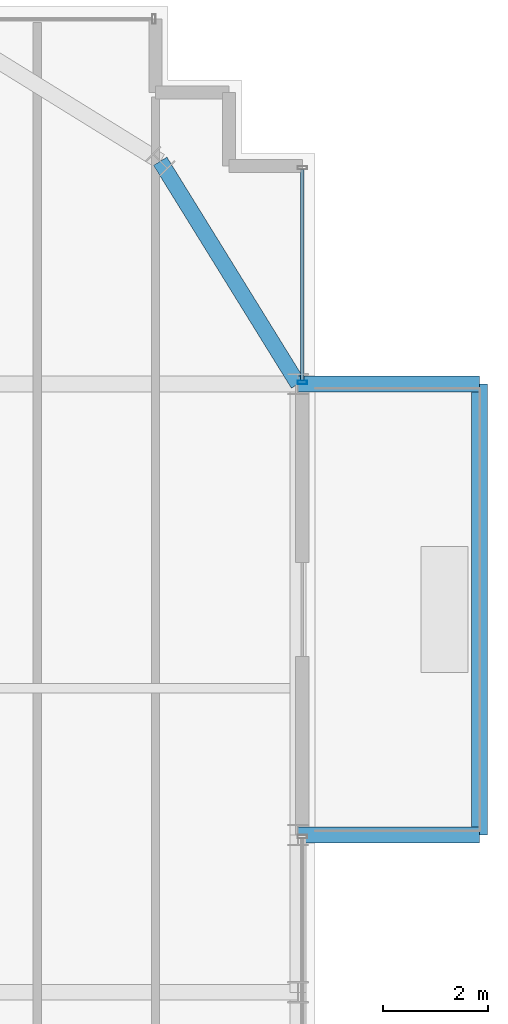
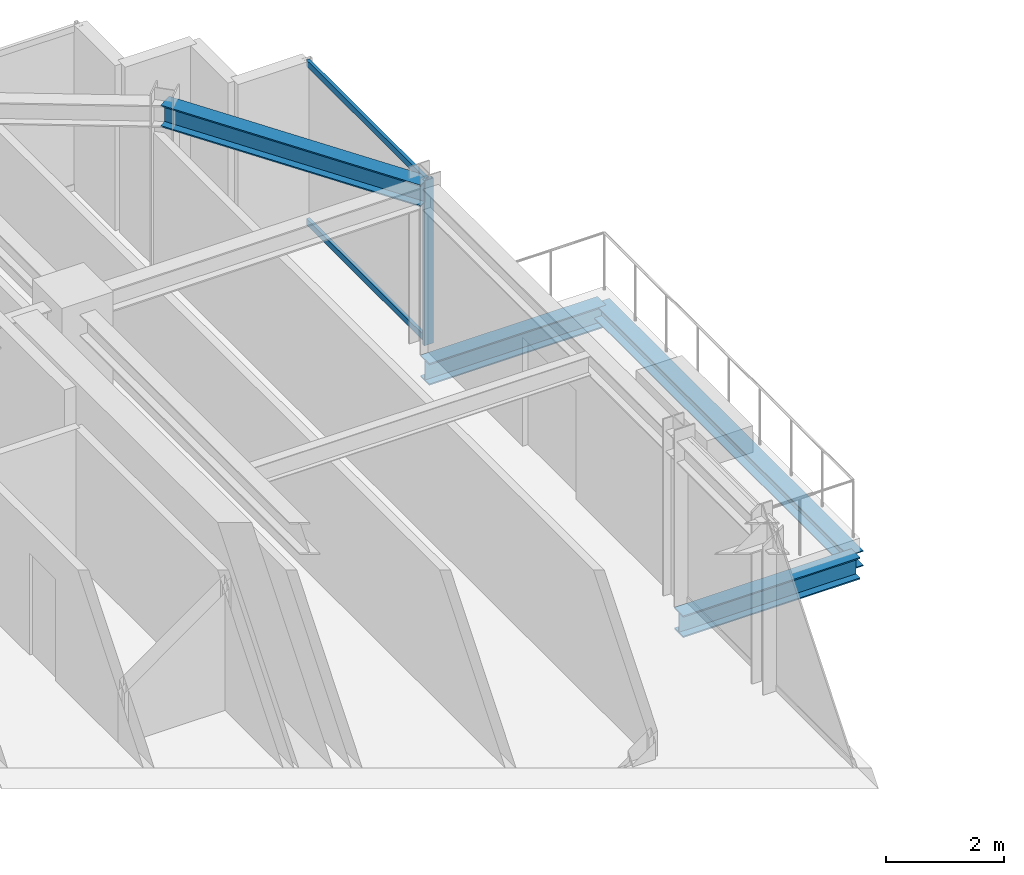
# One storey, part 26 of 36: 4 beams, 3 members, 1 element without a shape of its own.
"""IFC4 building model written with IfcOpenShell, lengths in metres."""

import ifcopenshell
import ifcopenshell.guid

model = None  # the IFC model being written
_history = None  # IfcOwnerHistory: only IFC2X3 demands one
_inside = {}  # id of a spatial element -> (the spatial element, [elements in it])
_under = {}  # id of a project, library or spatial element -> (it, [spatial elements below it])
_declared = {}  # id of a project -> (the project, [libraries it declares])
_typed = {}  # id of a type object -> (the type object, [elements of that type])
_made_of = {}  # id of a material, layer set ... -> (it, [elements and type objects made of it])


def new_model(schema):
    """Start an empty IFC model of exactly this schema.

    Asked for "IFC4X3", IfcOpenShell would pick the latest addendum, in which some entities
    have other attributes; the version numbers below select the first issue.
    IFC2X3 requires an IfcOwnerHistory on every rooted entity: one is made here for all.
    """
    global model, _history
    if schema == "IFC4X3":
        model = ifcopenshell.file(schema_version=(4, 3, 0, 0))
    else:
        model = ifcopenshell.file(schema=schema)
    _inside.clear()
    _under.clear()
    _declared.clear()
    _typed.clear()
    _made_of.clear()
    _history = None
    if model.schema == "IFC2X3":
        org = make("IfcOrganization", Name="unknown")
        user = make(
            "IfcPersonAndOrganization",
            ThePerson=make("IfcPerson", FamilyName="unknown"),
            TheOrganization=org,
        )
        app = make(
            "IfcApplication",
            ApplicationDeveloper=org,
            Version="unknown",
            ApplicationFullName="unknown",
            ApplicationIdentifier="unknown",
        )
        _history = make(
            "IfcOwnerHistory",
            OwningUser=user,
            OwningApplication=app,
            ChangeAction="ADDED",
            CreationDate=0,
        )
    return model


def make(cls, **values):
    """One entity of the class cls with the attributes given. An attribute that is None is left unset."""
    return model.create_entity(
        cls, **{name: value for name, value in values.items() if value is not None}
    )


def rooted(cls, **values):
    """An entity with a GlobalId (a new one), such as an element, a storey or a relation."""
    return make(cls, GlobalId=ifcopenshell.guid.new(), OwnerHistory=_history, **values)


def si_unit(unit_type, name, prefix=None):
    """IfcSIUnit, for example si_unit("LENGTHUNIT", "METRE", prefix="MILLI")."""
    return make("IfcSIUnit", UnitType=unit_type, Prefix=prefix, Name=name)


def assignment(units):
    """IfcUnitAssignment: the units of a project."""
    return None if units is None else make("IfcUnitAssignment", Units=units)


def point(xyz):
    """IfcCartesianPoint."""
    return None if xyz is None else make("IfcCartesianPoint", Coordinates=xyz)


def direction(xyz):
    """IfcDirection."""
    return None if xyz is None else make("IfcDirection", DirectionRatios=xyz)


def frame(location, z_axis=None, x_axis=None):
    """IfcAxis2Placement3D, a coordinate frame: its origin and axes. An axis left out is left unset."""
    return make(
        "IfcAxis2Placement3D",
        Location=point(location),
        Axis=direction(z_axis),
        RefDirection=direction(x_axis),
    )


def frame_2d(location, x_axis=None):
    """IfcAxis2Placement2D, a coordinate frame in the plane: its origin and x axis."""
    return make(
        "IfcAxis2Placement2D", Location=point(location), RefDirection=direction(x_axis)
    )


def origin():
    """The frame at (0, 0, 0) with its axes left unset."""
    return frame((0.0, 0.0, 0.0))


def origin_2d():
    """The frame at (0, 0) in the plane with its x axis left unset."""
    return frame_2d((0.0, 0.0))


def place(relative_to, where):
    """IfcLocalPlacement: puts the frame where relative to a parent placement (None: the world)."""
    return make(
        "IfcLocalPlacement", PlacementRelTo=relative_to, RelativePlacement=where
    )


def context(
    kind, dimensions, precision=None, world=None, true_north=None, identifier=None
):
    """IfcGeometricRepresentationContext, for example the 3D "Model" context."""
    return make(
        "IfcGeometricRepresentationContext",
        ContextIdentifier=identifier,
        ContextType=kind,
        CoordinateSpaceDimension=dimensions,
        Precision=precision,
        WorldCoordinateSystem=world,
        TrueNorth=true_north,
    )


def subcontext(parent, identifier, kind, view, scale=None):
    """IfcGeometricRepresentationSubContext, for example "Body" below "Model"."""
    return make(
        "IfcGeometricRepresentationSubContext",
        ContextIdentifier=identifier,
        ContextType=kind,
        ParentContext=parent,
        TargetScale=scale,
        TargetView=view,
    )


def project(units=None, contexts=None):
    """IfcProject with its units and contexts."""
    return rooted(
        "IfcProject",
        Name="project",
        RepresentationContexts=contexts,
        UnitsInContext=assignment(units),
    )


def spatial(cls, under=None, at=None, **own):
    """A site, building, storey or space (cls), placed at a placement, below another one or the project."""
    s = rooted(cls, ObjectPlacement=at, **own)
    if under is not None:
        _under.setdefault(under.id(), (under, []))[1].append(s)
    return s


def profile(cls, at=None, kind="AREA", **sizes):
    """A parametric profile (cls). Its sizes go by their IFC names, for example OverallWidth=200.0."""
    return make(cls, ProfileType=kind, Position=at, **sizes)


def hollow_rectangle(**sizes):
    """IfcRectangleHollowProfileDef."""
    return profile("IfcRectangleHollowProfileDef", **sizes)


def i_section(**sizes):
    """IfcIShapeProfileDef."""
    return profile("IfcIShapeProfileDef", **sizes)


def extrude(swept, where, along, depth):
    """IfcExtrudedAreaSolid: the profile swept, set in the frame where, extruded along a direction by depth."""
    return make(
        "IfcExtrudedAreaSolid",
        SweptArea=swept,
        Position=where,
        ExtrudedDirection=direction(along),
        Depth=depth,
    )


def shape(context_of_items, identifier, shape_type, items):
    """IfcShapeRepresentation: the items that make up one representation, for example the "Body"."""
    return make(
        "IfcShapeRepresentation",
        ContextOfItems=context_of_items,
        RepresentationIdentifier=identifier,
        RepresentationType=shape_type,
        Items=items,
    )


def source(mapping_origin, context_of_items, identifier, shape_type, items):
    """IfcRepresentationMap: a shape defined once, which mapped items show again and again."""
    return make(
        "IfcRepresentationMap",
        MappingOrigin=mapping_origin,
        MappedRepresentation=shape(context_of_items, identifier, shape_type, items),
    )


def transform(
    local_origin,
    x_axis=None,
    y_axis=None,
    z_axis=None,
    scale=None,
    scale2=None,
    scale3=None,
    uniform=True,
):
    """IfcCartesianTransformationOperator3D, or its non-uniform kind. x_axis, y_axis, z_axis: its Axis1, 2, 3."""
    if uniform:
        return make(
            "IfcCartesianTransformationOperator3D",
            Axis1=direction(x_axis),
            Axis2=direction(y_axis),
            LocalOrigin=point(local_origin),
            Scale=scale,
            Axis3=direction(z_axis),
        )
    return make(
        "IfcCartesianTransformationOperator3DnonUniform",
        Axis1=direction(x_axis),
        Axis2=direction(y_axis),
        LocalOrigin=point(local_origin),
        Scale=scale,
        Axis3=direction(z_axis),
        Scale2=scale2,
        Scale3=scale3,
    )


def mapped(mapping_source, mapping_target):
    """IfcMappedItem: shows the shape of a source again, moved by a transform."""
    return make(
        "IfcMappedItem", MappingSource=mapping_source, MappingTarget=mapping_target
    )


def material(Name=None, Category=None):
    """IfcMaterial."""
    return make("IfcMaterial", Name=Name, Category=Category)


def material_profile(
    of_material, cross_section, Name=None, Category=None, Priority=None
):
    """IfcMaterialProfile: a cross section and its material."""
    return make(
        "IfcMaterialProfile",
        Name=Name,
        Material=of_material,
        Profile=cross_section,
        Priority=Priority,
        Category=Category,
    )


def profile_set(profiles, Name=None, composite=None):
    """IfcMaterialProfileSet."""
    return make(
        "IfcMaterialProfileSet",
        Name=Name,
        MaterialProfiles=profiles,
        CompositeProfile=composite,
    )


def made_of(thing, what):
    """Note that an element or type object is made of a material, layer set ...; save() writes the relation."""
    if what is not None:
        _made_of.setdefault(what.id(), (what, []))[1].append(thing)
    return thing


def type_object(cls, material=None, **own):
    """A type object (cls), such as IfcWallType, which elements share."""
    return made_of(rooted(cls, **own), material)


def element(
    cls,
    number,
    at=None,
    inside=None,
    cuts=None,
    type_object=None,
    material=None,
    context=None,
    identifier="Body",
    shape_type=None,
    held_by="IfcProductDefinitionShape",
    body=None,
    shapes=None,
    **own,
):
    """One element of the class cls, such as IfcWall. Its Tag is "e" and its number.

    at: its placement. inside: the storey or other place that contains it. cuts: it is an
    opening in that element (IfcRelVoidsElement). A single representation is given by context,
    identifier, shape_type and body (its items); several are given by shapes. held_by: the class
    of the entity that holds the representations. save() writes the other relations.
    """
    e = rooted(cls, Tag="e%d" % number, ObjectPlacement=at, **own)
    if body is not None:
        shapes = [shape(context, identifier, shape_type, body)]
    if shapes is not None:
        e.Representation = make(held_by, Representations=shapes)
    if inside is not None:
        _inside.setdefault(inside.id(), (inside, []))[1].append(e)
    if cuts is not None:
        rooted(
            "IfcRelVoidsElement", RelatingBuildingElement=cuts, RelatedOpeningElement=e
        )
    if type_object is not None:
        _typed.setdefault(type_object.id(), (type_object, []))[1].append(e)
    return made_of(e, material)


def aggregate(whole, parts):
    """IfcRelAggregates: a whole, such as a stair, and the parts it consists of."""
    return rooted("IfcRelAggregates", RelatingObject=whole, RelatedObjects=parts)


def save(model, path):
    """Write the relations noted so far, then the file.

    IfcRelAggregates (storeys below a building ...), IfcRelContainedInSpatialStructure (elements
    in a storey), IfcRelDefinesByType, IfcRelAssociatesMaterial and IfcRelDeclares: one each for
    every whole, place, type object, material and project.
    """
    for whole, parts in _under.values():
        aggregate(whole, parts)
    for where, things in _inside.values():
        rooted(
            "IfcRelContainedInSpatialStructure",
            RelatedElements=things,
            RelatingStructure=where,
        )
    for kind, things in _typed.values():
        rooted("IfcRelDefinesByType", RelatedObjects=things, RelatingType=kind)
    for what, things in _made_of.values():
        rooted("IfcRelAssociatesMaterial", RelatedObjects=things, RelatingMaterial=what)
    for by, libraries in _declared.values():
        rooted("IfcRelDeclares", RelatingContext=by, RelatedDefinitions=libraries)
    model.write(path)


model = new_model("IFC4")

# Units and contexts
model_context = context("Model", 3, precision=1e-05, world=origin(), true_north=direction((0.0, 1.0)))
body_context = subcontext(model_context, "Body", "Model", "MODEL_VIEW")
ifc_project = project(units=[si_unit("LENGTHUNIT", "METRE"), si_unit("AREAUNIT", "SQUARE_METRE"), si_unit("VOLUMEUNIT", "CUBIC_METRE"), si_unit("PLANEANGLEUNIT", "RADIAN"), si_unit("MASSUNIT", "GRAM", prefix="KILO")], contexts=[model_context])

# Site, building, storey
site_placement = place(None, origin())
site = spatial("IfcSite", under=ifc_project, at=site_placement, CompositionType="ELEMENT")
building_placement = place(site_placement, origin())
building = spatial("IfcBuilding", under=site, at=building_placement, Name="Nahalor Promenade Grand Hotel", CompositionType="ELEMENT")
storey_placement = place(building_placement, frame((0.0, 0.0, 223.39990234375)))
storey = spatial("IfcBuildingStorey", under=building, at=storey_placement, Name="L57", CompositionType="ELEMENT", Elevation=223.39990234375)

# Beams
ifc_material_1 = material(Name="Steel S355JR", Category="steel")
ifc_material_profile_1 = material_profile(ifc_material_1, i_section(OverallWidth=0.3, OverallDepth=0.32, WebThickness=0.0115, FlangeThickness=0.0205, at=origin_2d()), Name="HEB 320")
ifc_profile_set_1 = profile_set([ifc_material_profile_1], Name="Steel S355JR")
beam_type_1 = type_object("IfcBeamType", Name="Beam-BalcEdge-HEB320", PredefinedType="SPANDREL", material=ifc_profile_set_1)
shared_shape_1 = source(origin(), body_context, "Body", "SweptSolid", [
    extrude(i_section(OverallWidth=0.3, OverallDepth=0.32, WebThickness=0.0115, FlangeThickness=0.0205, at=origin_2d()), origin(), (0.0, 0.0, 1.0), 8.60009765625),
])
beam_1_placement = place(storey_placement, frame((27.340087890625, 8.39990234375, -0.43994140625), z_axis=(0.0, 1.0, 0.0), x_axis=(-1.0, 0.0, 0.0)))
element("IfcBeam", 1, at=beam_1_placement, inside=storey, type_object=beam_type_1, Name="BM-L57-BC-02-F", PredefinedType="SPANDREL", context=body_context, shape_type="MappedRepresentation", body=[
    mapped(shared_shape_1, transform((0.0, 0.0, 0.0), scale=1.0)),
])
ifc_material_profile_2 = material_profile(ifc_material_1, i_section(OverallWidth=0.3, OverallDepth=0.45, WebThickness=0.014, FlangeThickness=0.026, at=origin_2d()), Name="HEB 450")
ifc_profile_set_2 = profile_set([ifc_material_profile_2], Name="Steel S355JR")
beam_type_2 = type_object("IfcBeamType", Name="Beam-Outrigger-HEB450", PredefinedType="BEAM", material=ifc_profile_set_2)
shared_shape_2 = source(origin(), body_context, "Body", "SweptSolid", [
    extrude(i_section(OverallWidth=0.3, OverallDepth=0.45, WebThickness=0.014, FlangeThickness=0.026, at=origin_2d()), origin(), (0.0, 0.0, 1.0), 3.460205078125),
])
for number, where, z_axis, x_axis, name in (
    (2, (23.8798828125, 8.39990234375, -0.5048828125), (1.0, 0.0, 0.0), (0.0, 1.0, 0.0), "BM-L57-BC-02-1"),
    (3, (23.8798828125, 17.0, -0.5048828125), (1.0, 0.0, 0.0), (0.0, 1.0, 0.0), "BM-L57-BC-02-2"),
):
    element("IfcBeam", number, at=place(storey_placement, frame(where, z_axis=z_axis, x_axis=x_axis)), inside=storey, type_object=beam_type_2, Name=name, PredefinedType="BEAM", context=body_context, shape_type="MappedRepresentation", body=[
        mapped(shared_shape_2, transform((0.0, 0.0, 0.0), scale=1.0)),
    ])
ifc_material_profile_3 = material_profile(ifc_material_1, i_section(OverallWidth=0.3, OverallDepth=0.45, WebThickness=0.014, FlangeThickness=0.026, at=origin_2d()), Name="HEB 450")
ifc_profile_set_3 = profile_set([ifc_material_profile_3], Name="Steel S355JR")
beam_type_3 = type_object("IfcBeamType", Name="Beam-Spandrel-HEB450", PredefinedType="SPANDREL", material=ifc_profile_set_3)
shared_shape_3 = source(origin(), body_context, "Body", "SweptSolid", [
    extrude(i_section(OverallWidth=0.3, OverallDepth=0.45, WebThickness=0.014, FlangeThickness=0.026, at=origin_2d()), origin(), (0.0, 0.0, 1.0), 4.997802734375),
])
beam_2_placement = place(storey_placement, frame((21.25, 21.25, 3.18505859375), z_axis=(0.526199891161, -0.850360908404, 0.0), x_axis=(0.850360908404, 0.526199891161, 0.0)))
element("IfcBeam", 4, at=beam_2_placement, inside=storey, type_object=beam_type_3, Name="BM-L57-SPC-NE-2", PredefinedType="SPANDREL", context=body_context, shape_type="MappedRepresentation", body=[
    mapped(shared_shape_3, transform((0.0, 0.0, 0.0), scale=1.0)),
])

# Curtain wall, members
ifc_material_2 = material(Name="Anodised Bronze Aluminium EN AW-6063 T6", Category="aluminium")
curtain_wall_type = type_object("IfcCurtainWallType", Name="CW2 Typical Hotel Flush Bronze Unitised Curtain Wall", PredefinedType="USERDEFINED", material=ifc_material_2)
curtain_wall_placement = place(storey_placement, origin())
curtain_wall = element("IfcCurtainWall", 5, at=curtain_wall_placement, inside=storey, type_object=curtain_wall_type, Name="L57 Curtain Wall CW-L57-E-3", ObjectType="UNITISED_CURTAIN_WALL", PredefinedType="USERDEFINED")
ifc_material_profile_4 = material_profile(ifc_material_2, hollow_rectangle(XDim=0.065, YDim=0.18, WallThickness=0.004, at=origin_2d()), Name="CWM 65x180x4")
ifc_profile_set_4 = profile_set([ifc_material_profile_4], Name="Anodised Bronze Aluminium EN AW-6063 T6")
member_type_1 = type_object("IfcMemberType", Name="CWM2 Typical Bronze Mullion 65x180", PredefinedType="MULLION", material=ifc_profile_set_4)
shared_shape_4 = source(origin(), body_context, "Body", "SweptSolid", [
    extrude(hollow_rectangle(XDim=0.065, YDim=0.18, WallThickness=0.004, at=origin_2d()), origin(), (0.0, 0.0, 1.0), 3.41015625),
])
member_1_placement = place(storey_placement, frame((23.9599609375, 17.032470703125, 0.0), z_axis=(0.0, 0.0, 1.0), x_axis=(0.0, 1.0, 0.0)))
member_1 = element("IfcMember", 6, at=member_1_placement, type_object=member_type_1, Name="CW-L57-E-3 Mullion 0", PredefinedType="MULLION", context=body_context, shape_type="MappedRepresentation", body=[
    mapped(shared_shape_4, transform((0.0, 0.0, 0.0), scale=1.0)),
])
ifc_material_profile_5 = material_profile(ifc_material_2, hollow_rectangle(XDim=0.065, YDim=0.13, WallThickness=0.004, at=origin_2d()), Name="CWT 65x130x4")
ifc_profile_set_5 = profile_set([ifc_material_profile_5], Name="Anodised Bronze Aluminium EN AW-6063 T6")
member_type_2 = type_object("IfcMemberType", Name="CWT2 Typical Bronze Transom 65x130", PredefinedType="USERDEFINED", material=ifc_profile_set_5)
shared_shape_5 = source(origin(), body_context, "Body", "SweptSolid", [
    extrude(hollow_rectangle(XDim=0.065, YDim=0.13, WallThickness=0.004, at=origin_2d()), origin(), (0.0, 0.0, 1.0), 4.030029296875),
])
member_2_placement = place(storey_placement, frame((23.9599609375, 17.06494140625, 0.065185546875), z_axis=(0.0, 1.0, 0.0), x_axis=(-1.0, 0.0, 0.0)))
member_2 = element("IfcMember", 7, at=member_2_placement, type_object=member_type_2, Name="CW-L57-E-3 Transom 0-0", ObjectType="TRANSOM", PredefinedType="USERDEFINED", context=body_context, shape_type="MappedRepresentation", body=[
    mapped(shared_shape_5, transform((0.0, 0.0, 0.0), scale=1.0)),
])
member_3_placement = place(storey_placement, frame((23.9599609375, 17.06494140625, 3.34521484375), z_axis=(0.0, 1.0, 0.0), x_axis=(-1.0, 0.0, 0.0)))
member_3 = element("IfcMember", 8, at=member_3_placement, type_object=member_type_2, Name="CW-L57-E-3 Transom 0-1", ObjectType="TRANSOM", PredefinedType="USERDEFINED", context=body_context, shape_type="MappedRepresentation", body=[
    mapped(shared_shape_5, transform((0.0, 0.0, 0.0), scale=1.0)),
])
aggregate(curtain_wall, [member_1, member_2, member_3])

save(model, "model.ifc")
